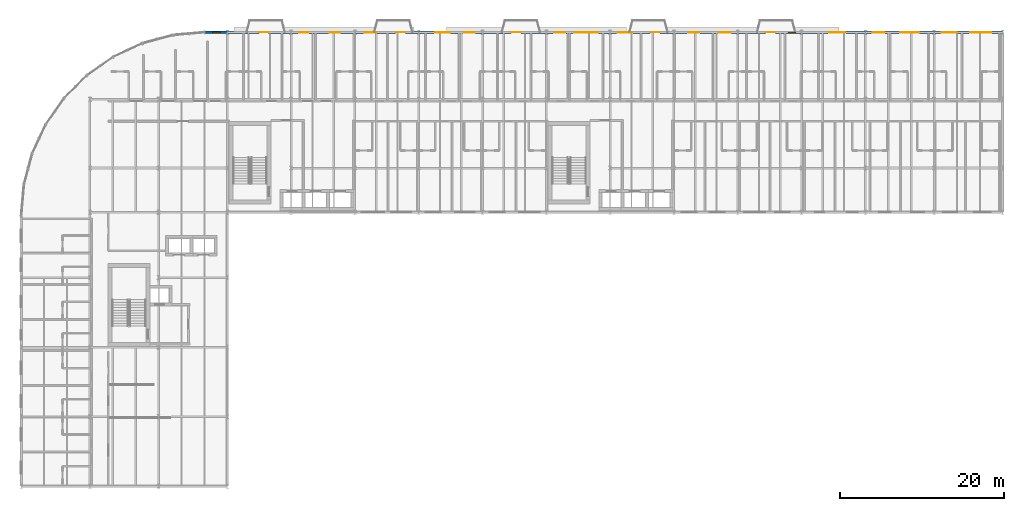
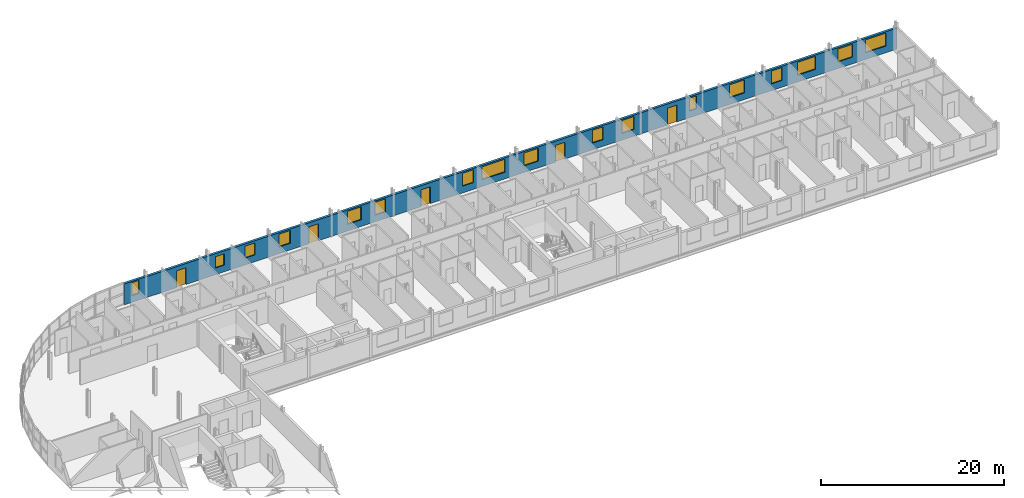
# One storey, part 30 of 36: 17 windows, 5 doors, 1 wall, 22 openings.
"""IFC4 building model written with IfcOpenShell, lengths in metres."""

from ifc_helpers import new_model, si_unit, direction, frame, frame_2d, origin, place, context, subcontext, project, spatial, rectangle, extrude, material, layer, layer_set, type_object, element, fill, save


model = new_model("IFC4")

# Units and contexts
model_context = context("Model", 3, precision=1e-05, world=origin(), true_north=direction((0.0, 1.0)))
body_context = subcontext(model_context, "Body", "Model", "MODEL_VIEW")
ifc_project = project(units=[si_unit("LENGTHUNIT", "METRE"), si_unit("AREAUNIT", "SQUARE_METRE"), si_unit("VOLUMEUNIT", "CUBIC_METRE"), si_unit("PLANEANGLEUNIT", "RADIAN"), si_unit("MASSUNIT", "GRAM", prefix="KILO")], contexts=[model_context])

# Site, building, storey
site_placement = place(None, origin())
site = spatial("IfcSite", under=ifc_project, at=site_placement, CompositionType="ELEMENT")
building_placement = place(site_placement, origin())
building = spatial("IfcBuilding", under=site, at=building_placement, Name="Sefraquen Railside Congress Hotel", CompositionType="ELEMENT")
storey_placement = place(building_placement, frame((0.0, 0.0, 28.199951171875)))
storey = spatial("IfcBuildingStorey", under=building, at=storey_placement, Name="L06", CompositionType="ELEMENT", Elevation=28.199951171875)

# Wall, openings, doors, windows
ifc_material_1 = material(Name="Ochre Rabat calcarenite limestone and Concrete C40/50 backing", Category="masonry")
ifc_layer = layer(ifc_material_1, 0.300048828125)
ifc_layer_set = layer_set([ifc_layer], Name="Ochre Rabat calcarenite limestone and Concrete C40/50 backing")
wall_type = type_object("IfcWallType", Name="TW-EW-300", PredefinedType="STANDARD", material=ifc_layer_set)
wall_placement = place(storey_placement, frame((22.5, 118.0, 0.0), z_axis=(0.0, 0.0, 1.0), x_axis=(1.0, 0.0, 0.0)))
wall = element("IfcWall", 1, at=wall_placement, inside=storey, type_object=wall_type, Name="Hotel L06 North Boulevard limestone facade wall", PredefinedType="STANDARD", context=body_context, shape_type="SweptSolid", body=[
    extrude(rectangle(XDim=97.5, YDim=0.300048828125, at=frame_2d((48.75, 0.0))), origin(), (0.0, 0.0, 1.0), 2.800048828125),
])
opening_1_placement = place(wall_placement, frame((0.909912109375, 0.0, 0.89990234375)))
opening_1 = element("IfcOpeningElement", 2, at=opening_1_placement, cuts=wall, Name="Opening WN-19", PredefinedType="OPENING", context=body_context, shape_type="SweptSolid", body=[
    extrude(rectangle(XDim=0.89990234375, YDim=1.719970703125, at=frame_2d((0.449951171875, 0.85986328125))), frame((0.0, 0.159912109375, 0.0), z_axis=(0.0, -1.0, 0.0), x_axis=(1.0, 0.0, 0.0)), (0.0, 0.0, 1.0), 0.320068359375),
])
opening_2_placement = place(wall_placement, frame((6.56103515625, 0.0, 0.0)))
opening_2 = element("IfcOpeningElement", 3, at=opening_2_placement, cuts=wall, Name="Opening BD-01", PredefinedType="OPENING", context=body_context, shape_type="SweptSolid", body=[
    extrude(rectangle(XDim=1.199951171875, YDim=2.25, at=frame_2d((0.60009765625, 1.125))), frame((0.0, 0.159912109375, 0.0), z_axis=(0.0, -1.0, 0.0), x_axis=(1.0, 0.0, 0.0)), (0.0, 0.0, 1.0), 0.320068359375),
])
opening_3_placement = place(wall_placement, frame((11.47705078125, 0.0, 0.89990234375)))
opening_3 = element("IfcOpeningElement", 4, at=opening_3_placement, cuts=wall, Name="Opening WN-21", PredefinedType="OPENING", context=body_context, shape_type="SweptSolid", body=[
    extrude(rectangle(XDim=1.10009765625, YDim=1.5, at=frame_2d((0.550048828125, 0.75))), frame((0.0, 0.159912109375, 0.0), z_axis=(0.0, -1.0, 0.0), x_axis=(1.0, 0.0, 0.0)), (0.0, 0.0, 1.0), 0.320068359375),
])
opening_4_placement = place(wall_placement, frame((15.194091796875, 0.0, 0.89990234375)))
opening_4 = element("IfcOpeningElement", 5, at=opening_4_placement, cuts=wall, Name="Opening WN-22", PredefinedType="OPENING", context=body_context, shape_type="SweptSolid", body=[
    extrude(rectangle(XDim=1.25, YDim=1.60009765625, at=frame_2d((0.625, 0.800048828125))), frame((0.0, 0.159912109375, 0.0), z_axis=(0.0, -1.0, 0.0), x_axis=(1.0, 0.0, 0.0)), (0.0, 0.0, 1.0), 0.320068359375),
])
opening_5_placement = place(wall_placement, frame((19.509033203125, 0.0, 0.89990234375)))
opening_5 = element("IfcOpeningElement", 6, at=opening_5_placement, cuts=wall, Name="Opening WN-23", PredefinedType="OPENING", context=body_context, shape_type="SweptSolid", body=[
    extrude(rectangle(XDim=1.39990234375, YDim=1.699951171875, at=frame_2d((0.699951171875, 0.85009765625))), frame((0.0, 0.159912109375, 0.0), z_axis=(0.0, -1.0, 0.0), x_axis=(1.0, 0.0, 0.0)), (0.0, 0.0, 1.0), 0.320068359375),
])
opening_6_placement = place(wall_placement, frame((23.258056640625, 0.0, 0.0)))
opening_6 = element("IfcOpeningElement", 7, at=opening_6_placement, cuts=wall, Name="Opening BD-01", PredefinedType="OPENING", context=body_context, shape_type="SweptSolid", body=[
    extrude(rectangle(XDim=1.199951171875, YDim=2.25, at=frame_2d((0.60009765625, 1.125))), frame((0.0, 0.159912109375, 0.0), z_axis=(0.0, -1.0, 0.0), x_axis=(1.0, 0.0, 0.0)), (0.0, 0.0, 1.0), 0.320068359375),
])
opening_7_placement = place(wall_placement, frame((28.114990234375, 0.0, 0.89990234375)))
opening_7 = element("IfcOpeningElement", 8, at=opening_7_placement, cuts=wall, Name="Opening WN-25", PredefinedType="OPENING", context=body_context, shape_type="SweptSolid", body=[
    extrude(rectangle(XDim=1.75, YDim=1.719970703125, at=frame_2d((0.875, 0.85986328125))), frame((0.0, 0.159912109375, 0.0), z_axis=(0.0, -1.0, 0.0), x_axis=(1.0, 0.0, 0.0)), (0.0, 0.0, 1.0), 0.320068359375),
])
opening_8_placement = place(wall_placement, frame((31.58203125, 0.0, 0.89990234375)))
opening_8 = element("IfcOpeningElement", 9, at=opening_8_placement, cuts=wall, Name="Opening WN-26", PredefinedType="OPENING", context=body_context, shape_type="SweptSolid", body=[
    extrude(rectangle(XDim=1.35009765625, YDim=1.719970703125, at=frame_2d((0.675048828125, 0.85986328125))), frame((0.0, 0.159912109375, 0.0), z_axis=(0.0, -1.0, 0.0), x_axis=(1.0, 0.0, 0.0)), (0.0, 0.0, 1.0), 0.320068359375),
])
opening_9_placement = place(wall_placement, frame((37.37890625, 0.0, 0.0)))
opening_9 = element("IfcOpeningElement", 10, at=opening_9_placement, cuts=wall, Name="Opening BD-01", PredefinedType="OPENING", context=body_context, shape_type="SweptSolid", body=[
    extrude(rectangle(XDim=1.199951171875, YDim=2.25, at=frame_2d((0.60009765625, 1.125))), frame((0.0, 0.159912109375, 0.0), z_axis=(0.0, -1.0, 0.0), x_axis=(1.0, 0.0, 0.0)), (0.0, 0.0, 1.0), 0.320068359375),
])
opening_10_placement = place(wall_placement, frame((42.6630859375, 0.0, 0.89990234375)))
opening_10 = element("IfcOpeningElement", 11, at=opening_10_placement, cuts=wall, Name="Opening WN-28", PredefinedType="OPENING", context=body_context, shape_type="SweptSolid", body=[
    extrude(rectangle(XDim=1.35009765625, YDim=1.719970703125, at=frame_2d((0.675048828125, 0.85986328125))), frame((0.0, 0.159912109375, 0.0), z_axis=(0.0, -1.0, 0.0), x_axis=(1.0, 0.0, 0.0)), (0.0, 0.0, 1.0), 0.320068359375),
])
opening_11_placement = place(wall_placement, frame((45.118896484375, 0.0, 0.89990234375)))
opening_11 = element("IfcOpeningElement", 12, at=opening_11_placement, cuts=wall, Name="Opening WN-29", PredefinedType="OPENING", context=body_context, shape_type="SweptSolid", body=[
    extrude(rectangle(XDim=2.87109375, YDim=1.719970703125, at=frame_2d((1.435546875, 0.85986328125))), frame((0.0, 0.159912109375, 0.0), z_axis=(0.0, -1.0, 0.0), x_axis=(1.0, 0.0, 0.0)), (0.0, 0.0, 1.0), 0.320068359375),
])
opening_12_placement = place(wall_placement, frame((50.409912109375, 0.0, 0.89990234375)))
opening_12 = element("IfcOpeningElement", 13, at=opening_12_placement, cuts=wall, Name="Opening WN-30", PredefinedType="OPENING", context=body_context, shape_type="SweptSolid", body=[
    extrude(rectangle(XDim=1.800048828125, YDim=1.719970703125, at=frame_2d((0.89990234375, 0.85986328125))), frame((0.0, 0.159912109375, 0.0), z_axis=(0.0, -1.0, 0.0), x_axis=(1.0, 0.0, 0.0)), (0.0, 0.0, 1.0), 0.320068359375),
])
opening_13_placement = place(wall_placement, frame((54.375, 0.0, 0.0)))
opening_13 = element("IfcOpeningElement", 14, at=opening_13_placement, cuts=wall, Name="Opening BD-01", PredefinedType="OPENING", context=body_context, shape_type="SweptSolid", body=[
    extrude(rectangle(XDim=1.199951171875, YDim=2.25, at=frame_2d((0.60009765625, 1.125))), frame((0.0, 0.159912109375, 0.0), z_axis=(0.0, -1.0, 0.0), x_axis=(1.0, 0.0, 0.0)), (0.0, 0.0, 1.0), 0.320068359375),
])
opening_14_placement = place(wall_placement, frame((59.052001953125, 0.0, 0.89990234375)))
opening_14 = element("IfcOpeningElement", 15, at=opening_14_placement, cuts=wall, Name="Opening WN-02", PredefinedType="OPENING", context=body_context, shape_type="SweptSolid", body=[
    extrude(rectangle(XDim=1.35009765625, YDim=1.719970703125, at=frame_2d((0.675048828125, 0.85986328125))), frame((0.0, 0.159912109375, 0.0), z_axis=(0.0, -1.0, 0.0), x_axis=(1.0, 0.0, 0.0)), (0.0, 0.0, 1.0), 0.320068359375),
])
opening_15_placement = place(wall_placement, frame((62.76806640625, 0.0, 0.89990234375)))
opening_15 = element("IfcOpeningElement", 16, at=opening_15_placement, cuts=wall, Name="Opening WN-03", PredefinedType="OPENING", context=body_context, shape_type="SweptSolid", body=[
    extrude(rectangle(XDim=1.5, YDim=1.719970703125, at=frame_2d((0.75, 0.85986328125))), frame((0.0, 0.159912109375, 0.0), z_axis=(0.0, -1.0, 0.0), x_axis=(1.0, 0.0, 0.0)), (0.0, 0.0, 1.0), 0.320068359375),
])
opening_16_placement = place(wall_placement, frame((68.498046875, 0.0, 0.0)))
opening_16 = element("IfcOpeningElement", 17, at=opening_16_placement, cuts=wall, Name="Opening BD-01", PredefinedType="OPENING", context=body_context, shape_type="SweptSolid", body=[
    extrude(rectangle(XDim=1.199951171875, YDim=2.25, at=frame_2d((0.60009765625, 1.125))), frame((0.0, 0.159912109375, 0.0), z_axis=(0.0, -1.0, 0.0), x_axis=(1.0, 0.0, 0.0)), (0.0, 0.0, 1.0), 0.320068359375),
])
opening_17_placement = place(wall_placement, frame((71.264892578125, 0.0, 0.89990234375)))
opening_17 = element("IfcOpeningElement", 18, at=opening_17_placement, cuts=wall, Name="Opening WN-05", PredefinedType="OPENING", context=body_context, shape_type="SweptSolid", body=[
    extrude(rectangle(XDim=0.89990234375, YDim=1.719970703125, at=frame_2d((0.449951171875, 0.85986328125))), frame((0.0, 0.159912109375, 0.0), z_axis=(0.0, -1.0, 0.0), x_axis=(1.0, 0.0, 0.0)), (0.0, 0.0, 1.0), 0.320068359375),
])
opening_18_placement = place(wall_placement, frame((76.31591796875, 0.0, 0.89990234375)))
opening_18 = element("IfcOpeningElement", 19, at=opening_18_placement, cuts=wall, Name="Opening WN-06", PredefinedType="OPENING", context=body_context, shape_type="SweptSolid", body=[
    extrude(rectangle(XDim=1.949951171875, YDim=1.719970703125, at=frame_2d((0.97509765625, 0.85986328125))), frame((0.0, 0.159912109375, 0.0), z_axis=(0.0, -1.0, 0.0), x_axis=(1.0, 0.0, 0.0)), (0.0, 0.0, 1.0), 0.320068359375),
])
opening_19_placement = place(wall_placement, frame((81.632080078125, 0.0, 0.89990234375)))
opening_19 = element("IfcOpeningElement", 20, at=opening_19_placement, cuts=wall, Name="Opening WN-07", PredefinedType="OPENING", context=body_context, shape_type="SweptSolid", body=[
    extrude(rectangle(XDim=1.35009765625, YDim=1.719970703125, at=frame_2d((0.675048828125, 0.85986328125))), frame((0.0, 0.159912109375, 0.0), z_axis=(0.0, -1.0, 0.0), x_axis=(1.0, 0.0, 0.0)), (0.0, 0.0, 1.0), 0.320068359375),
])
opening_20_placement = place(wall_placement, frame((84.947998046875, 0.0, 0.89990234375)))
opening_20 = element("IfcOpeningElement", 21, at=opening_20_placement, cuts=wall, Name="Opening WN-08", PredefinedType="OPENING", context=body_context, shape_type="SweptSolid", body=[
    extrude(rectangle(XDim=2.25, YDim=1.719970703125, at=frame_2d((1.125, 0.85986328125))), frame((0.0, 0.159912109375, 0.0), z_axis=(0.0, -1.0, 0.0), x_axis=(1.0, 0.0, 0.0)), (0.0, 0.0, 1.0), 0.320068359375),
])
opening_21_placement = place(wall_placement, frame((90.06298828125, 0.0, 0.89990234375)))
opening_21 = element("IfcOpeningElement", 22, at=opening_21_placement, cuts=wall, Name="Opening WN-09", PredefinedType="OPENING", context=body_context, shape_type="SweptSolid", body=[
    extrude(rectangle(XDim=1.800048828125, YDim=1.719970703125, at=frame_2d((0.89990234375, 0.85986328125))), frame((0.0, 0.159912109375, 0.0), z_axis=(0.0, -1.0, 0.0), x_axis=(1.0, 0.0, 0.0)), (0.0, 0.0, 1.0), 0.320068359375),
])
opening_22_placement = place(wall_placement, frame((93.529052734375, 0.0, 0.89990234375)))
opening_22 = element("IfcOpeningElement", 23, at=opening_22_placement, cuts=wall, Name="Opening WN-10", PredefinedType="OPENING", context=body_context, shape_type="SweptSolid", body=[
    extrude(rectangle(XDim=2.550048828125, YDim=1.719970703125, at=frame_2d((1.27490234375, 0.85986328125))), frame((0.0, 0.159912109375, 0.0), z_axis=(0.0, -1.0, 0.0), x_axis=(1.0, 0.0, 0.0)), (0.0, 0.0, 1.0), 0.320068359375),
])
ifc_material_2 = material(Name="Bronze and low-E fire-rated glass", Category="glass")
door_type = type_object("IfcDoorType", Name="TD-BD-01", OperationType="NOTDEFINED", PredefinedType="DOOR", material=ifc_material_2)
door_1_placement = place(opening_2_placement, origin())
door_1 = element("IfcDoor", 24, at=door_1_placement, inside=storey, type_object=door_type, Name="Guest balcony glazed door SP-L06-RM-002", OperationType="SINGLE_SWING_LEFT", OverallHeight=2.25, OverallWidth=1.199951171875, PredefinedType="DOOR", context=body_context, shape_type="SweptSolid", body=[
    extrude(rectangle(XDim=1.199951171875, YDim=2.25, at=frame_2d((0.60009765625, 1.125))), frame((0.0, 0.02490234375, 0.0), z_axis=(0.0, -1.0, 0.0), x_axis=(1.0, 0.0, 0.0)), (0.0, 0.0, 1.0), 0.050048828125),
])
fill(opening_2, door_1)
door_2_placement = place(opening_6_placement, origin())
door_2 = element("IfcDoor", 25, at=door_2_placement, inside=storey, type_object=door_type, Name="Guest balcony glazed door SP-L06-RM-006", OperationType="SINGLE_SWING_LEFT", OverallHeight=2.25, OverallWidth=1.199951171875, PredefinedType="DOOR", context=body_context, shape_type="SweptSolid", body=[
    extrude(rectangle(XDim=1.199951171875, YDim=2.25, at=frame_2d((0.60009765625, 1.125))), frame((0.0, 0.02490234375, 0.0), z_axis=(0.0, -1.0, 0.0), x_axis=(1.0, 0.0, 0.0)), (0.0, 0.0, 1.0), 0.050048828125),
])
fill(opening_6, door_2)
door_3_placement = place(opening_9_placement, origin())
door_3 = element("IfcDoor", 26, at=door_3_placement, inside=storey, type_object=door_type, Name="Guest balcony glazed door SP-L06-RM-009", OperationType="SINGLE_SWING_RIGHT", OverallHeight=2.25, OverallWidth=1.199951171875, PredefinedType="DOOR", context=body_context, shape_type="SweptSolid", body=[
    extrude(rectangle(XDim=1.199951171875, YDim=2.25, at=frame_2d((0.60009765625, 1.125))), frame((0.0, 0.02490234375, 0.0), z_axis=(0.0, -1.0, 0.0), x_axis=(1.0, 0.0, 0.0)), (0.0, 0.0, 1.0), 0.050048828125),
])
fill(opening_9, door_3)
door_4_placement = place(opening_13_placement, origin())
door_4 = element("IfcDoor", 27, at=door_4_placement, inside=storey, type_object=door_type, Name="Guest balcony glazed door SP-L06-RM-013", OperationType="SINGLE_SWING_RIGHT", OverallHeight=2.25, OverallWidth=1.199951171875, PredefinedType="DOOR", context=body_context, shape_type="SweptSolid", body=[
    extrude(rectangle(XDim=1.199951171875, YDim=2.25, at=frame_2d((0.60009765625, 1.125))), frame((0.0, 0.02490234375, 0.0), z_axis=(0.0, -1.0, 0.0), x_axis=(1.0, 0.0, 0.0)), (0.0, 0.0, 1.0), 0.050048828125),
])
fill(opening_13, door_4)
door_5_placement = place(opening_16_placement, origin())
door_5 = element("IfcDoor", 28, at=door_5_placement, inside=storey, type_object=door_type, Name="Guest balcony glazed door SP-L06-RM-016", OperationType="SINGLE_SWING_LEFT", OverallHeight=2.25, OverallWidth=1.199951171875, PredefinedType="DOOR", context=body_context, shape_type="SweptSolid", body=[
    extrude(rectangle(XDim=1.199951171875, YDim=2.25, at=frame_2d((0.60009765625, 1.125))), frame((0.0, 0.02490234375, 0.0), z_axis=(0.0, -1.0, 0.0), x_axis=(1.0, 0.0, 0.0)), (0.0, 0.0, 1.0), 0.050048828125),
])
fill(opening_16, door_5)
ifc_material_3 = material(Name="Solar-control low-E double glazing in bronze-anodised frame", Category="glass")
window_type_1 = type_object("IfcWindowType", Name="TWN-W-02", PartitioningType="DOUBLE_PANEL_VERTICAL", PredefinedType="WINDOW", material=ifc_material_3)
window_1_placement = place(opening_14_placement, origin())
window_1 = element("IfcWindow", 29, at=window_1_placement, inside=storey, type_object=window_type_1, Name="Guest room north window SP-L06-RM-014", OverallHeight=1.719970703125, OverallWidth=1.35009765625, PartitioningType="DOUBLE_PANEL_VERTICAL", PredefinedType="WINDOW", context=body_context, shape_type="SweptSolid", body=[
    extrude(rectangle(XDim=1.35009765625, YDim=1.719970703125, at=frame_2d((0.675048828125, 0.85986328125))), frame((0.0, 0.030029296875, 0.0), z_axis=(0.0, -1.0, 0.0), x_axis=(1.0, 0.0, 0.0)), (0.0, 0.0, 1.0), 0.06005859375),
])
fill(opening_14, window_1)
window_type_2 = type_object("IfcWindowType", Name="TWN-W-03", PartitioningType="DOUBLE_PANEL_VERTICAL", PredefinedType="WINDOW", material=ifc_material_3)
window_2_placement = place(opening_15_placement, origin())
window_2 = element("IfcWindow", 30, at=window_2_placement, inside=storey, type_object=window_type_2, Name="Guest room north window SP-L06-RM-015", OverallHeight=1.719970703125, OverallWidth=1.5, PartitioningType="DOUBLE_PANEL_VERTICAL", PredefinedType="WINDOW", context=body_context, shape_type="SweptSolid", body=[
    extrude(rectangle(XDim=1.5, YDim=1.719970703125, at=frame_2d((0.75, 0.85986328125))), frame((0.0, 0.030029296875, 0.0), z_axis=(0.0, -1.0, 0.0), x_axis=(1.0, 0.0, 0.0)), (0.0, 0.0, 1.0), 0.06005859375),
])
fill(opening_15, window_2)
window_type_3 = type_object("IfcWindowType", Name="TWN-W-05", PartitioningType="DOUBLE_PANEL_VERTICAL", PredefinedType="WINDOW", material=ifc_material_3)
window_3_placement = place(opening_17_placement, origin())
window_3 = element("IfcWindow", 31, at=window_3_placement, inside=storey, type_object=window_type_3, Name="Guest room north window SP-L06-RM-017", OverallHeight=1.719970703125, OverallWidth=0.89990234375, PartitioningType="DOUBLE_PANEL_VERTICAL", PredefinedType="WINDOW", context=body_context, shape_type="SweptSolid", body=[
    extrude(rectangle(XDim=0.89990234375, YDim=1.719970703125, at=frame_2d((0.449951171875, 0.85986328125))), frame((0.0, 0.030029296875, 0.0), z_axis=(0.0, -1.0, 0.0), x_axis=(1.0, 0.0, 0.0)), (0.0, 0.0, 1.0), 0.06005859375),
])
fill(opening_17, window_3)
window_type_4 = type_object("IfcWindowType", Name="TWN-W-06", PartitioningType="DOUBLE_PANEL_VERTICAL", PredefinedType="WINDOW", material=ifc_material_3)
window_4_placement = place(opening_18_placement, origin())
window_4 = element("IfcWindow", 32, at=window_4_placement, inside=storey, type_object=window_type_4, Name="Guest room north window SP-L06-RM-018", OverallHeight=1.719970703125, OverallWidth=1.949951171875, PartitioningType="DOUBLE_PANEL_VERTICAL", PredefinedType="WINDOW", context=body_context, shape_type="SweptSolid", body=[
    extrude(rectangle(XDim=1.949951171875, YDim=1.719970703125, at=frame_2d((0.97509765625, 0.85986328125))), frame((0.0, 0.030029296875, 0.0), z_axis=(0.0, -1.0, 0.0), x_axis=(1.0, 0.0, 0.0)), (0.0, 0.0, 1.0), 0.06005859375),
])
fill(opening_18, window_4)
window_type_5 = type_object("IfcWindowType", Name="TWN-W-07", PartitioningType="DOUBLE_PANEL_VERTICAL", PredefinedType="WINDOW", material=ifc_material_3)
window_5_placement = place(opening_19_placement, origin())
window_5 = element("IfcWindow", 33, at=window_5_placement, inside=storey, type_object=window_type_5, Name="Guest room north window SP-L06-RM-019", OverallHeight=1.719970703125, OverallWidth=1.35009765625, PartitioningType="DOUBLE_PANEL_VERTICAL", PredefinedType="WINDOW", context=body_context, shape_type="SweptSolid", body=[
    extrude(rectangle(XDim=1.35009765625, YDim=1.719970703125, at=frame_2d((0.675048828125, 0.85986328125))), frame((0.0, 0.030029296875, 0.0), z_axis=(0.0, -1.0, 0.0), x_axis=(1.0, 0.0, 0.0)), (0.0, 0.0, 1.0), 0.06005859375),
])
fill(opening_19, window_5)
window_type_6 = type_object("IfcWindowType", Name="TWN-W-08", PartitioningType="DOUBLE_PANEL_VERTICAL", PredefinedType="WINDOW", material=ifc_material_3)
window_6_placement = place(opening_20_placement, origin())
window_6 = element("IfcWindow", 34, at=window_6_placement, inside=storey, type_object=window_type_6, Name="Guest room north window SP-L06-RM-020", OverallHeight=1.719970703125, OverallWidth=2.25, PartitioningType="DOUBLE_PANEL_VERTICAL", PredefinedType="WINDOW", context=body_context, shape_type="SweptSolid", body=[
    extrude(rectangle(XDim=2.25, YDim=1.719970703125, at=frame_2d((1.125, 0.85986328125))), frame((0.0, 0.030029296875, 0.0), z_axis=(0.0, -1.0, 0.0), x_axis=(1.0, 0.0, 0.0)), (0.0, 0.0, 1.0), 0.06005859375),
])
fill(opening_20, window_6)
window_type_7 = type_object("IfcWindowType", Name="TWN-W-09", PartitioningType="DOUBLE_PANEL_VERTICAL", PredefinedType="WINDOW", material=ifc_material_3)
window_7_placement = place(opening_21_placement, origin())
window_7 = element("IfcWindow", 35, at=window_7_placement, inside=storey, type_object=window_type_7, Name="Guest room north window SP-L06-RM-021", OverallHeight=1.719970703125, OverallWidth=1.800048828125, PartitioningType="DOUBLE_PANEL_VERTICAL", PredefinedType="WINDOW", context=body_context, shape_type="SweptSolid", body=[
    extrude(rectangle(XDim=1.800048828125, YDim=1.719970703125, at=frame_2d((0.89990234375, 0.85986328125))), frame((0.0, 0.030029296875, 0.0), z_axis=(0.0, -1.0, 0.0), x_axis=(1.0, 0.0, 0.0)), (0.0, 0.0, 1.0), 0.06005859375),
])
fill(opening_21, window_7)
window_type_8 = type_object("IfcWindowType", Name="TWN-W-10", PartitioningType="DOUBLE_PANEL_VERTICAL", PredefinedType="WINDOW", material=ifc_material_3)
window_8_placement = place(opening_22_placement, origin())
window_8 = element("IfcWindow", 36, at=window_8_placement, inside=storey, type_object=window_type_8, Name="Guest room north window SP-L06-RM-022", OverallHeight=1.719970703125, OverallWidth=2.550048828125, PartitioningType="DOUBLE_PANEL_VERTICAL", PredefinedType="WINDOW", context=body_context, shape_type="SweptSolid", body=[
    extrude(rectangle(XDim=2.550048828125, YDim=1.719970703125, at=frame_2d((1.27490234375, 0.85986328125))), frame((0.0, 0.030029296875, 0.0), z_axis=(0.0, -1.0, 0.0), x_axis=(1.0, 0.0, 0.0)), (0.0, 0.0, 1.0), 0.06005859375),
])
fill(opening_22, window_8)
window_type_9 = type_object("IfcWindowType", Name="TWN-W-19", PartitioningType="DOUBLE_PANEL_VERTICAL", PredefinedType="WINDOW", material=ifc_material_3)
window_9_placement = place(opening_1_placement, origin())
window_9 = element("IfcWindow", 37, at=window_9_placement, inside=storey, type_object=window_type_9, Name="Guest room north window SP-L06-RM-001", OverallHeight=1.719970703125, OverallWidth=0.89990234375, PartitioningType="DOUBLE_PANEL_VERTICAL", PredefinedType="WINDOW", context=body_context, shape_type="SweptSolid", body=[
    extrude(rectangle(XDim=0.89990234375, YDim=1.719970703125, at=frame_2d((0.449951171875, 0.85986328125))), frame((0.0, 0.030029296875, 0.0), z_axis=(0.0, -1.0, 0.0), x_axis=(1.0, 0.0, 0.0)), (0.0, 0.0, 1.0), 0.06005859375),
])
fill(opening_1, window_9)
window_type_10 = type_object("IfcWindowType", Name="TWN-W-21", PartitioningType="DOUBLE_PANEL_VERTICAL", PredefinedType="WINDOW", material=ifc_material_3)
window_10_placement = place(opening_3_placement, origin())
window_10 = element("IfcWindow", 38, at=window_10_placement, inside=storey, type_object=window_type_10, Name="Guest room north window SP-L06-RM-003", OverallHeight=1.5, OverallWidth=1.10009765625, PartitioningType="DOUBLE_PANEL_VERTICAL", PredefinedType="WINDOW", context=body_context, shape_type="SweptSolid", body=[
    extrude(rectangle(XDim=1.10009765625, YDim=1.5, at=frame_2d((0.550048828125, 0.75))), frame((0.0, 0.030029296875, 0.0), z_axis=(0.0, -1.0, 0.0), x_axis=(1.0, 0.0, 0.0)), (0.0, 0.0, 1.0), 0.06005859375),
])
fill(opening_3, window_10)
window_type_11 = type_object("IfcWindowType", Name="TWN-W-22", PartitioningType="DOUBLE_PANEL_VERTICAL", PredefinedType="WINDOW", material=ifc_material_3)
window_11_placement = place(opening_4_placement, origin())
window_11 = element("IfcWindow", 39, at=window_11_placement, inside=storey, type_object=window_type_11, Name="Guest room north window SP-L06-RM-004", OverallHeight=1.60009765625, OverallWidth=1.25, PartitioningType="DOUBLE_PANEL_VERTICAL", PredefinedType="WINDOW", context=body_context, shape_type="SweptSolid", body=[
    extrude(rectangle(XDim=1.25, YDim=1.60009765625, at=frame_2d((0.625, 0.800048828125))), frame((0.0, 0.030029296875, 0.0), z_axis=(0.0, -1.0, 0.0), x_axis=(1.0, 0.0, 0.0)), (0.0, 0.0, 1.0), 0.06005859375),
])
fill(opening_4, window_11)
window_type_12 = type_object("IfcWindowType", Name="TWN-W-23", PartitioningType="DOUBLE_PANEL_VERTICAL", PredefinedType="WINDOW", material=ifc_material_3)
window_12_placement = place(opening_5_placement, origin())
window_12 = element("IfcWindow", 40, at=window_12_placement, inside=storey, type_object=window_type_12, Name="Guest room north window SP-L06-RM-005", OverallHeight=1.699951171875, OverallWidth=1.39990234375, PartitioningType="DOUBLE_PANEL_VERTICAL", PredefinedType="WINDOW", context=body_context, shape_type="SweptSolid", body=[
    extrude(rectangle(XDim=1.39990234375, YDim=1.699951171875, at=frame_2d((0.699951171875, 0.85009765625))), frame((0.0, 0.030029296875, 0.0), z_axis=(0.0, -1.0, 0.0), x_axis=(1.0, 0.0, 0.0)), (0.0, 0.0, 1.0), 0.06005859375),
])
fill(opening_5, window_12)
window_type_13 = type_object("IfcWindowType", Name="TWN-W-25", PartitioningType="DOUBLE_PANEL_VERTICAL", PredefinedType="WINDOW", material=ifc_material_3)
window_13_placement = place(opening_7_placement, origin())
window_13 = element("IfcWindow", 41, at=window_13_placement, inside=storey, type_object=window_type_13, Name="Guest room north window SP-L06-RM-007", OverallHeight=1.719970703125, OverallWidth=1.75, PartitioningType="DOUBLE_PANEL_VERTICAL", PredefinedType="WINDOW", context=body_context, shape_type="SweptSolid", body=[
    extrude(rectangle(XDim=1.75, YDim=1.719970703125, at=frame_2d((0.875, 0.85986328125))), frame((0.0, 0.030029296875, 0.0), z_axis=(0.0, -1.0, 0.0), x_axis=(1.0, 0.0, 0.0)), (0.0, 0.0, 1.0), 0.06005859375),
])
fill(opening_7, window_13)
window_type_14 = type_object("IfcWindowType", Name="TWN-W-26", PartitioningType="DOUBLE_PANEL_VERTICAL", PredefinedType="WINDOW", material=ifc_material_3)
window_14_placement = place(opening_8_placement, origin())
window_14 = element("IfcWindow", 42, at=window_14_placement, inside=storey, type_object=window_type_14, Name="Guest room north window SP-L06-RM-008", OverallHeight=1.719970703125, OverallWidth=1.35009765625, PartitioningType="DOUBLE_PANEL_VERTICAL", PredefinedType="WINDOW", context=body_context, shape_type="SweptSolid", body=[
    extrude(rectangle(XDim=1.35009765625, YDim=1.719970703125, at=frame_2d((0.675048828125, 0.85986328125))), frame((0.0, 0.030029296875, 0.0), z_axis=(0.0, -1.0, 0.0), x_axis=(1.0, 0.0, 0.0)), (0.0, 0.0, 1.0), 0.06005859375),
])
fill(opening_8, window_14)
window_type_15 = type_object("IfcWindowType", Name="TWN-W-28", PartitioningType="DOUBLE_PANEL_VERTICAL", PredefinedType="WINDOW", material=ifc_material_3)
window_15_placement = place(opening_10_placement, origin())
window_15 = element("IfcWindow", 43, at=window_15_placement, inside=storey, type_object=window_type_15, Name="Guest room north window SP-L06-RM-010", OverallHeight=1.719970703125, OverallWidth=1.35009765625, PartitioningType="DOUBLE_PANEL_VERTICAL", PredefinedType="WINDOW", context=body_context, shape_type="SweptSolid", body=[
    extrude(rectangle(XDim=1.35009765625, YDim=1.719970703125, at=frame_2d((0.675048828125, 0.85986328125))), frame((0.0, 0.030029296875, 0.0), z_axis=(0.0, -1.0, 0.0), x_axis=(1.0, 0.0, 0.0)), (0.0, 0.0, 1.0), 0.06005859375),
])
fill(opening_10, window_15)
window_type_16 = type_object("IfcWindowType", Name="TWN-W-29", PartitioningType="DOUBLE_PANEL_VERTICAL", PredefinedType="WINDOW", material=ifc_material_3)
window_16_placement = place(opening_11_placement, origin())
window_16 = element("IfcWindow", 44, at=window_16_placement, inside=storey, type_object=window_type_16, Name="Guest room north window SP-L06-RM-011", OverallHeight=1.719970703125, OverallWidth=2.87109375, PartitioningType="DOUBLE_PANEL_VERTICAL", PredefinedType="WINDOW", context=body_context, shape_type="SweptSolid", body=[
    extrude(rectangle(XDim=2.87109375, YDim=1.719970703125, at=frame_2d((1.435546875, 0.85986328125))), frame((0.0, 0.030029296875, 0.0), z_axis=(0.0, -1.0, 0.0), x_axis=(1.0, 0.0, 0.0)), (0.0, 0.0, 1.0), 0.06005859375),
])
fill(opening_11, window_16)
window_type_17 = type_object("IfcWindowType", Name="TWN-W-30", PartitioningType="DOUBLE_PANEL_VERTICAL", PredefinedType="WINDOW", material=ifc_material_3)
window_17_placement = place(opening_12_placement, origin())
window_17 = element("IfcWindow", 45, at=window_17_placement, inside=storey, type_object=window_type_17, Name="Guest room north window SP-L06-RM-012", OverallHeight=1.719970703125, OverallWidth=1.800048828125, PartitioningType="DOUBLE_PANEL_VERTICAL", PredefinedType="WINDOW", context=body_context, shape_type="SweptSolid", body=[
    extrude(rectangle(XDim=1.800048828125, YDim=1.719970703125, at=frame_2d((0.89990234375, 0.85986328125))), frame((0.0, 0.030029296875, 0.0), z_axis=(0.0, -1.0, 0.0), x_axis=(1.0, 0.0, 0.0)), (0.0, 0.0, 1.0), 0.06005859375),
])
fill(opening_12, window_17)

save(model, "model.ifc")
